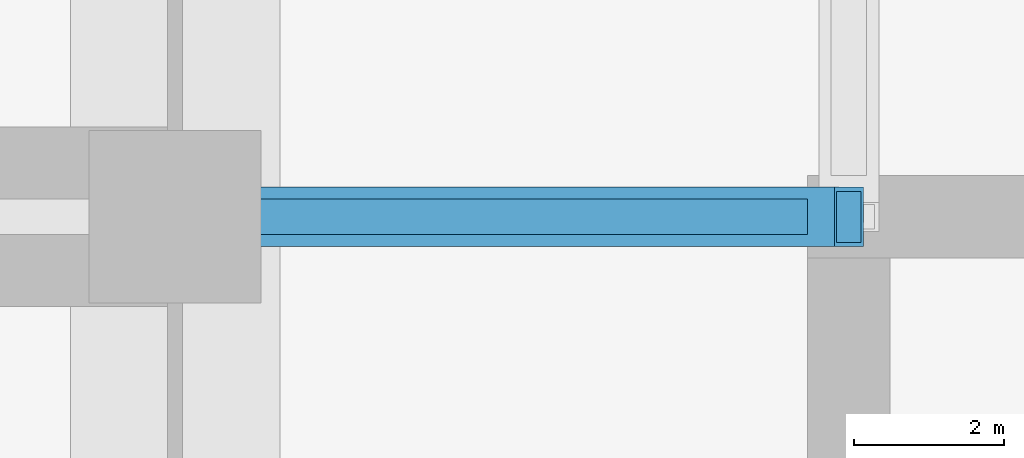
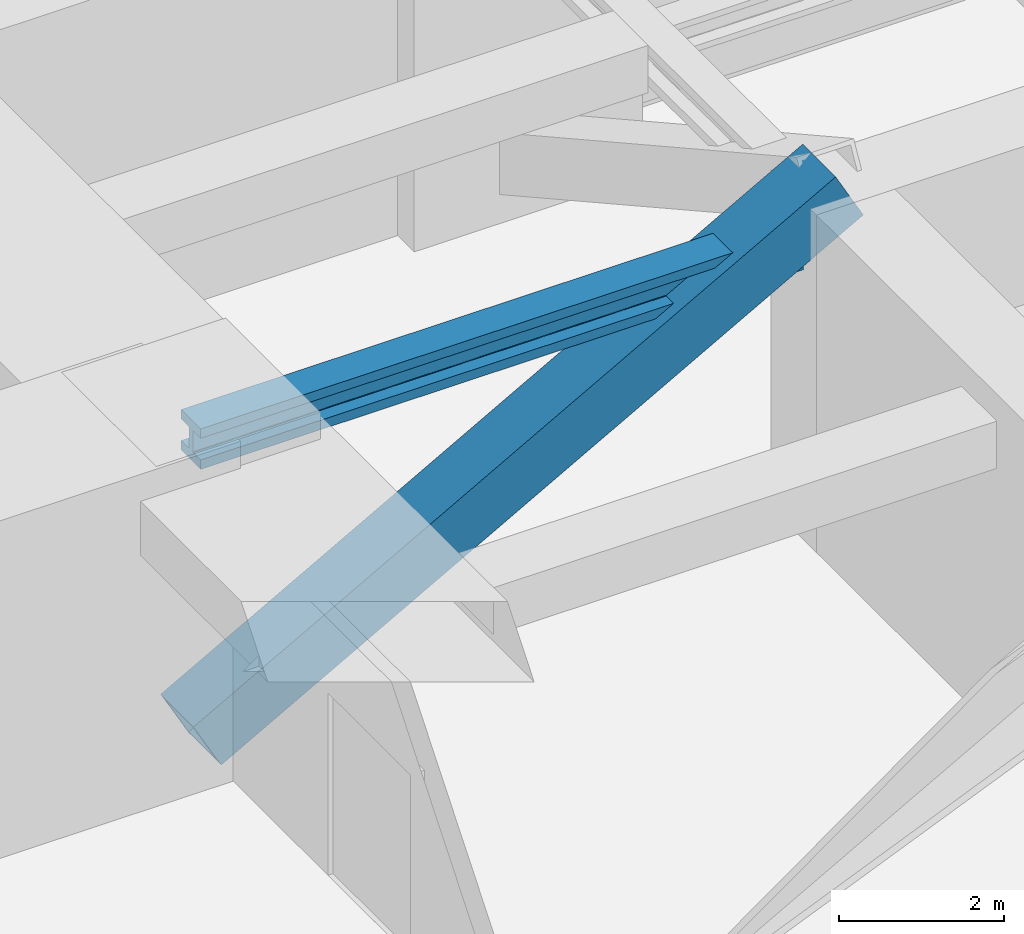
# One storey, part 17 of 32: 1 beam, 1 member.
"""IFC4 building model written with IfcOpenShell, lengths in metres."""

import ifcopenshell
import ifcopenshell.guid

model = None  # the IFC model being written
_history = None  # IfcOwnerHistory: only IFC2X3 demands one
_inside = {}  # id of a spatial element -> (the spatial element, [elements in it])
_under = {}  # id of a project, library or spatial element -> (it, [spatial elements below it])
_declared = {}  # id of a project -> (the project, [libraries it declares])
_typed = {}  # id of a type object -> (the type object, [elements of that type])
_made_of = {}  # id of a material, layer set ... -> (it, [elements and type objects made of it])


def new_model(schema):
    """Start an empty IFC model of exactly this schema.

    Asked for "IFC4X3", IfcOpenShell would pick the latest addendum, in which some entities
    have other attributes; the version numbers below select the first issue.
    IFC2X3 requires an IfcOwnerHistory on every rooted entity: one is made here for all.
    """
    global model, _history
    if schema == "IFC4X3":
        model = ifcopenshell.file(schema_version=(4, 3, 0, 0))
    else:
        model = ifcopenshell.file(schema=schema)
    _inside.clear()
    _under.clear()
    _declared.clear()
    _typed.clear()
    _made_of.clear()
    _history = None
    if model.schema == "IFC2X3":
        org = make("IfcOrganization", Name="unknown")
        user = make(
            "IfcPersonAndOrganization",
            ThePerson=make("IfcPerson", FamilyName="unknown"),
            TheOrganization=org,
        )
        app = make(
            "IfcApplication",
            ApplicationDeveloper=org,
            Version="unknown",
            ApplicationFullName="unknown",
            ApplicationIdentifier="unknown",
        )
        _history = make(
            "IfcOwnerHistory",
            OwningUser=user,
            OwningApplication=app,
            ChangeAction="ADDED",
            CreationDate=0,
        )
    return model


def make(cls, **values):
    """One entity of the class cls with the attributes given. An attribute that is None is left unset."""
    return model.create_entity(
        cls, **{name: value for name, value in values.items() if value is not None}
    )


def rooted(cls, **values):
    """An entity with a GlobalId (a new one), such as an element, a storey or a relation."""
    return make(cls, GlobalId=ifcopenshell.guid.new(), OwnerHistory=_history, **values)


def si_unit(unit_type, name, prefix=None):
    """IfcSIUnit, for example si_unit("LENGTHUNIT", "METRE", prefix="MILLI")."""
    return make("IfcSIUnit", UnitType=unit_type, Prefix=prefix, Name=name)


def assignment(units):
    """IfcUnitAssignment: the units of a project."""
    return None if units is None else make("IfcUnitAssignment", Units=units)


def point(xyz):
    """IfcCartesianPoint."""
    return None if xyz is None else make("IfcCartesianPoint", Coordinates=xyz)


def direction(xyz):
    """IfcDirection."""
    return None if xyz is None else make("IfcDirection", DirectionRatios=xyz)


def frame(location, z_axis=None, x_axis=None):
    """IfcAxis2Placement3D, a coordinate frame: its origin and axes. An axis left out is left unset."""
    return make(
        "IfcAxis2Placement3D",
        Location=point(location),
        Axis=direction(z_axis),
        RefDirection=direction(x_axis),
    )


def frame_2d(location, x_axis=None):
    """IfcAxis2Placement2D, a coordinate frame in the plane: its origin and x axis."""
    return make(
        "IfcAxis2Placement2D", Location=point(location), RefDirection=direction(x_axis)
    )


def origin():
    """The frame at (0, 0, 0) with its axes left unset."""
    return frame((0.0, 0.0, 0.0))


def origin_2d():
    """The frame at (0, 0) in the plane with its x axis left unset."""
    return frame_2d((0.0, 0.0))


def place(relative_to, where):
    """IfcLocalPlacement: puts the frame where relative to a parent placement (None: the world)."""
    return make(
        "IfcLocalPlacement", PlacementRelTo=relative_to, RelativePlacement=where
    )


def context(
    kind, dimensions, precision=None, world=None, true_north=None, identifier=None
):
    """IfcGeometricRepresentationContext, for example the 3D "Model" context."""
    return make(
        "IfcGeometricRepresentationContext",
        ContextIdentifier=identifier,
        ContextType=kind,
        CoordinateSpaceDimension=dimensions,
        Precision=precision,
        WorldCoordinateSystem=world,
        TrueNorth=true_north,
    )


def subcontext(parent, identifier, kind, view, scale=None):
    """IfcGeometricRepresentationSubContext, for example "Body" below "Model"."""
    return make(
        "IfcGeometricRepresentationSubContext",
        ContextIdentifier=identifier,
        ContextType=kind,
        ParentContext=parent,
        TargetScale=scale,
        TargetView=view,
    )


def project(units=None, contexts=None):
    """IfcProject with its units and contexts."""
    return rooted(
        "IfcProject",
        Name="project",
        RepresentationContexts=contexts,
        UnitsInContext=assignment(units),
    )


def spatial(cls, under=None, at=None, **own):
    """A site, building, storey or space (cls), placed at a placement, below another one or the project."""
    s = rooted(cls, ObjectPlacement=at, **own)
    if under is not None:
        _under.setdefault(under.id(), (under, []))[1].append(s)
    return s


def profile(cls, at=None, kind="AREA", **sizes):
    """A parametric profile (cls). Its sizes go by their IFC names, for example OverallWidth=200.0."""
    return make(cls, ProfileType=kind, Position=at, **sizes)


def hollow_rectangle(**sizes):
    """IfcRectangleHollowProfileDef."""
    return profile("IfcRectangleHollowProfileDef", **sizes)


def i_section(**sizes):
    """IfcIShapeProfileDef."""
    return profile("IfcIShapeProfileDef", **sizes)


def extrude(swept, where, along, depth):
    """IfcExtrudedAreaSolid: the profile swept, set in the frame where, extruded along a direction by depth."""
    return make(
        "IfcExtrudedAreaSolid",
        SweptArea=swept,
        Position=where,
        ExtrudedDirection=direction(along),
        Depth=depth,
    )


def shape(context_of_items, identifier, shape_type, items):
    """IfcShapeRepresentation: the items that make up one representation, for example the "Body"."""
    return make(
        "IfcShapeRepresentation",
        ContextOfItems=context_of_items,
        RepresentationIdentifier=identifier,
        RepresentationType=shape_type,
        Items=items,
    )


def material(Name=None, Category=None):
    """IfcMaterial."""
    return make("IfcMaterial", Name=Name, Category=Category)


def material_profile(
    of_material, cross_section, Name=None, Category=None, Priority=None
):
    """IfcMaterialProfile: a cross section and its material."""
    return make(
        "IfcMaterialProfile",
        Name=Name,
        Material=of_material,
        Profile=cross_section,
        Priority=Priority,
        Category=Category,
    )


def profile_set(profiles, Name=None, composite=None):
    """IfcMaterialProfileSet."""
    return make(
        "IfcMaterialProfileSet",
        Name=Name,
        MaterialProfiles=profiles,
        CompositeProfile=composite,
    )


def made_of(thing, what):
    """Note that an element or type object is made of a material, layer set ...; save() writes the relation."""
    if what is not None:
        _made_of.setdefault(what.id(), (what, []))[1].append(thing)
    return thing


def type_object(cls, material=None, **own):
    """A type object (cls), such as IfcWallType, which elements share."""
    return made_of(rooted(cls, **own), material)


def element(
    cls,
    number,
    at=None,
    inside=None,
    cuts=None,
    type_object=None,
    material=None,
    context=None,
    identifier="Body",
    shape_type=None,
    held_by="IfcProductDefinitionShape",
    body=None,
    shapes=None,
    **own,
):
    """One element of the class cls, such as IfcWall. Its Tag is "e" and its number.

    at: its placement. inside: the storey or other place that contains it. cuts: it is an
    opening in that element (IfcRelVoidsElement). A single representation is given by context,
    identifier, shape_type and body (its items); several are given by shapes. held_by: the class
    of the entity that holds the representations. save() writes the other relations.
    """
    e = rooted(cls, Tag="e%d" % number, ObjectPlacement=at, **own)
    if body is not None:
        shapes = [shape(context, identifier, shape_type, body)]
    if shapes is not None:
        e.Representation = make(held_by, Representations=shapes)
    if inside is not None:
        _inside.setdefault(inside.id(), (inside, []))[1].append(e)
    if cuts is not None:
        rooted(
            "IfcRelVoidsElement", RelatingBuildingElement=cuts, RelatedOpeningElement=e
        )
    if type_object is not None:
        _typed.setdefault(type_object.id(), (type_object, []))[1].append(e)
    return made_of(e, material)


def aggregate(whole, parts):
    """IfcRelAggregates: a whole, such as a stair, and the parts it consists of."""
    return rooted("IfcRelAggregates", RelatingObject=whole, RelatedObjects=parts)


def save(model, path):
    """Write the relations noted so far, then the file.

    IfcRelAggregates (storeys below a building ...), IfcRelContainedInSpatialStructure (elements
    in a storey), IfcRelDefinesByType, IfcRelAssociatesMaterial and IfcRelDeclares: one each for
    every whole, place, type object, material and project.
    """
    for whole, parts in _under.values():
        aggregate(whole, parts)
    for where, things in _inside.values():
        rooted(
            "IfcRelContainedInSpatialStructure",
            RelatedElements=things,
            RelatingStructure=where,
        )
    for kind, things in _typed.values():
        rooted("IfcRelDefinesByType", RelatedObjects=things, RelatingType=kind)
    for what, things in _made_of.values():
        rooted("IfcRelAssociatesMaterial", RelatedObjects=things, RelatingMaterial=what)
    for by, libraries in _declared.values():
        rooted("IfcRelDeclares", RelatingContext=by, RelatedDefinitions=libraries)
    model.write(path)


model = new_model("IFC4")

# Units and contexts
model_context = context("Model", 3, precision=1e-05, world=origin(), true_north=direction((0.0, 1.0)))
body_context = subcontext(model_context, "Body", "Model", "MODEL_VIEW")
ifc_project = project(units=[si_unit("LENGTHUNIT", "METRE"), si_unit("AREAUNIT", "SQUARE_METRE"), si_unit("VOLUMEUNIT", "CUBIC_METRE"), si_unit("PLANEANGLEUNIT", "RADIAN"), si_unit("MASSUNIT", "GRAM", prefix="KILO")], contexts=[model_context])

# Site, building, storey
site_placement = place(None, origin())
site = spatial("IfcSite", under=ifc_project, at=site_placement, CompositionType="ELEMENT")
building_placement = place(site_placement, origin())
building = spatial("IfcBuilding", under=site, at=building_placement, Name="Zorevar Civic Tower", CompositionType="ELEMENT")
storey_placement = place(building_placement, frame((0.0, 0.0, 234.39990234375)))
storey = spatial("IfcBuildingStorey", under=building, at=storey_placement, Name="L57", CompositionType="ELEMENT", Elevation=234.39990234375)

# Beam
ifc_material_1 = material(Name="Steel S460M (HISTAR 460)", Category="steel")
ifc_material_profile_1 = material_profile(ifc_material_1, i_section(OverallWidth=0.47607421875, OverallDepth=0.60009765625, WebThickness=0.10009765625, FlangeThickness=0.139892578125, FilletRadius=0.014892578125, at=origin_2d()), Name="HD 400x1299")
ifc_profile_set_1 = profile_set([ifc_material_profile_1], Name="Steel S460M (HISTAR 460)")
beam_type = type_object("IfcBeamType", Name="Outrigger chord HD 400x1299", PredefinedType="BEAM", material=ifc_profile_set_1)
beam_placement = place(storey_placement, frame((9.0, 36.0, 4.300048828125), z_axis=(1.0, 0.0, 0.0), x_axis=(0.0, 1.0, 0.0)))
element("IfcBeam", 1, at=beam_placement, inside=storey, type_object=beam_type, Name="Outrigger chord L58", PredefinedType="BEAM", context=body_context, shape_type="SweptSolid", body=[
    extrude(i_section(OverallWidth=0.47607421875, OverallDepth=0.60009765625, WebThickness=0.10009765625, FlangeThickness=0.139892578125, FilletRadius=0.014892578125, at=origin_2d()), origin(), (0.0, 0.0, 1.0), 8.449951171875),
])

# Member
ifc_material_2 = material(Name="Steel S460M (HISTAR 460)", Category="steel")
ifc_material_profile_2 = material_profile(ifc_material_2, hollow_rectangle(XDim=0.800048828125, YDim=0.800048828125, WallThickness=0.06005859375, at=origin_2d()), Name="BOX 800x800x60")
ifc_profile_set_2 = profile_set([ifc_material_profile_2], Name="Steel S460M (HISTAR 460)")
member_type = type_object("IfcMemberType", Name="Outrigger diagonal BOX 800x800x60", PredefinedType="BRACE", material=ifc_profile_set_2)
member_placement = place(storey_placement, frame((18.0, 36.0, 5.0), z_axis=(-0.874157276122, 0.0, -0.485642931179), x_axis=(0.0, -1.0, 0.0)))
element("IfcMember", 2, at=member_placement, inside=storey, type_object=member_type, Name="Outrigger diagonal W L57", PredefinedType="BRACE", context=body_context, shape_type="SweptSolid", body=[
    extrude(hollow_rectangle(XDim=0.800048828125, YDim=0.800048828125, WallThickness=0.06005859375, at=origin_2d()), origin(), (0.0, 0.0, 1.0), 10.295654296875),
])

save(model, "model.ifc")
